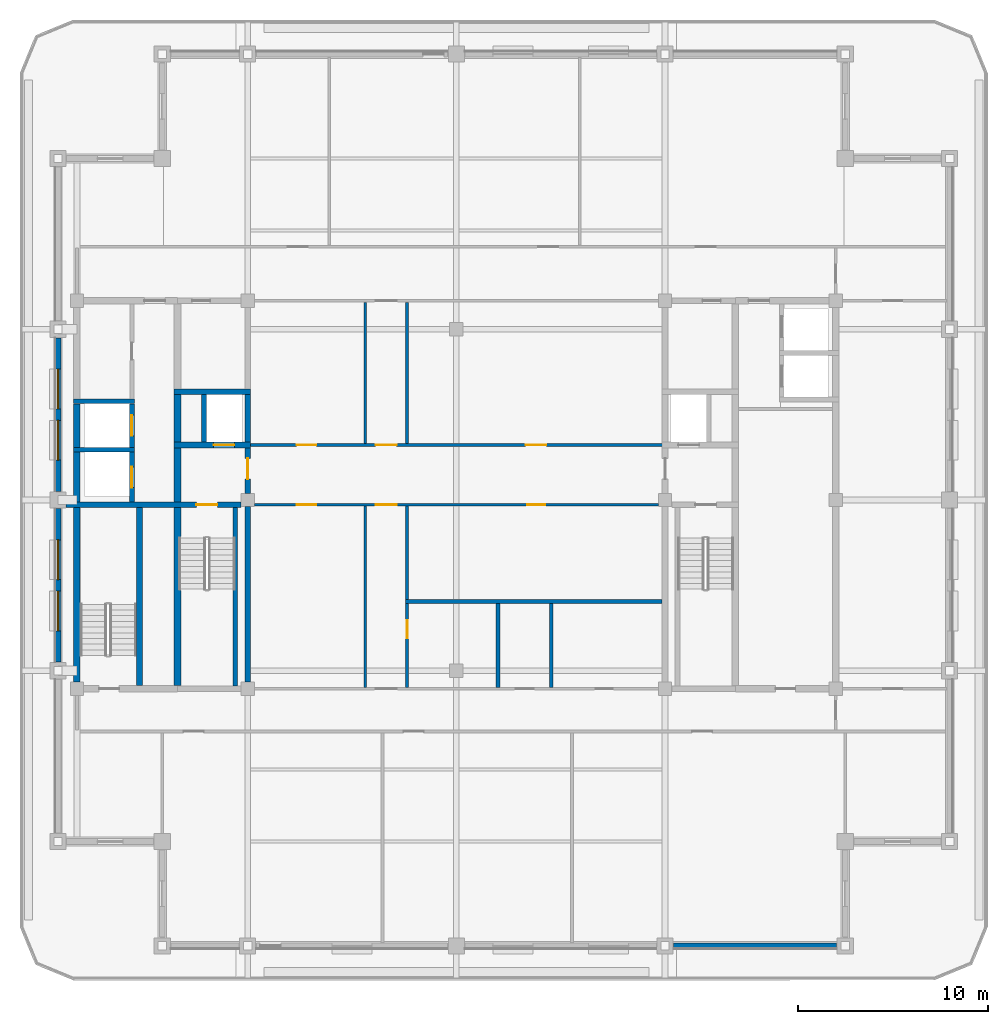
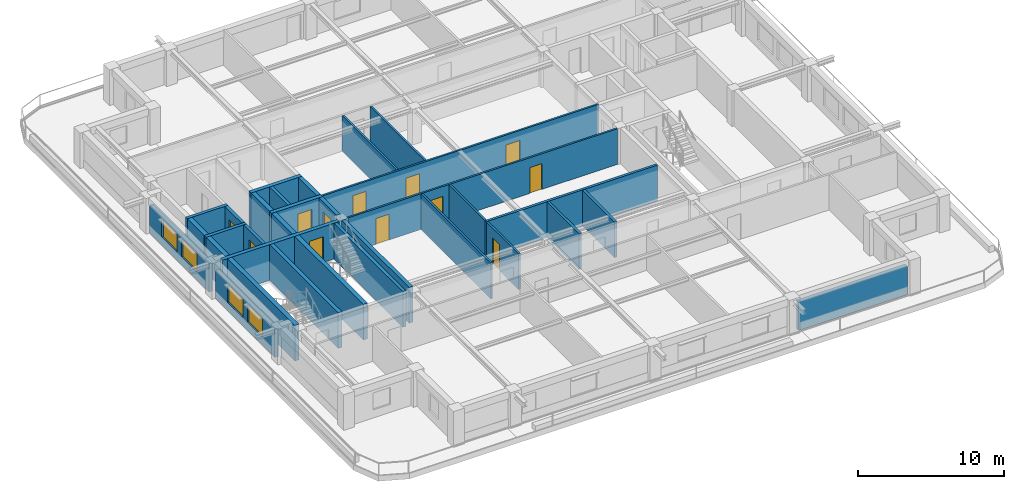
# One storey, part 3 of 11: 32 walls, 12 doors, 4 windows, 16 openings.
"""IFC4 building model written with IfcOpenShell, lengths in metres."""

from ifc_helpers import new_model, si_unit, direction, frame, frame_2d, origin, place, context, subcontext, project, spatial, rectangle, extrude, material, layer, layer_set, type_object, element, fill, save


model = new_model("IFC4")

# Units and contexts
model_context = context("Model", 3, precision=1e-05, world=origin(), true_north=direction((0.0, 1.0)))
body_context = subcontext(model_context, "Body", "Model", "MODEL_VIEW")
ifc_project = project(units=[si_unit("LENGTHUNIT", "METRE"), si_unit("AREAUNIT", "SQUARE_METRE"), si_unit("VOLUMEUNIT", "CUBIC_METRE"), si_unit("PLANEANGLEUNIT", "RADIAN"), si_unit("MASSUNIT", "GRAM", prefix="KILO")], contexts=[model_context])

# Site, building, storey
site_placement = place(None, origin())
site = spatial("IfcSite", under=ifc_project, at=site_placement, CompositionType="ELEMENT")
building_placement = place(site_placement, origin())
building = spatial("IfcBuilding", under=site, at=building_placement, Name="Zulmaris Gate Convention Tower", CompositionType="ELEMENT")
storey_placement = place(building_placement, frame((0.0, 0.0, 236.510009765625)))
storey = spatial("IfcBuildingStorey", under=building, at=storey_placement, Name="L62", CompositionType="ELEMENT", Elevation=236.510009765625)

# Walls
ifc_material_1 = material(Name="Concrete C50/60", Category="concrete")
ifc_layer_1 = layer(ifc_material_1, 0.25, Name="Concrete C50/60")
ifc_layer_set_1 = layer_set([ifc_layer_1], Name="Concrete C50/60")
wall_type_1 = type_object("IfcWallType", Name="CORE-250", PredefinedType="SOLIDWALL", material=ifc_layer_set_1)
for number, where, z_axis, x_axis, name in (
    (1, (-20.175048828125, 2.64990234375, 0.0), (0.0, 0.0, 1.0), (1.0, 0.0, 0.0), "WL-L62-007"),
    (2, (-20.175048828125, 5.199951171875, 0.0), (0.0, 0.0, 1.0), (1.0, 0.0, 0.0), "WL-L62-010"),
):
    element("IfcWall", number, at=place(storey_placement, frame(where, z_axis=z_axis, x_axis=x_axis)), inside=storey, type_object=wall_type_1, Name=name, PredefinedType="SOLIDWALL", context=body_context, shape_type="SweptSolid", body=[
        extrude(rectangle(XDim=3.199951171875, YDim=0.25, at=frame_2d((1.60009765625, 0.0))), origin(), (0.0, 0.0, 1.0), 2.97998046875),
    ])

# Wall, opening, door
wall_1_placement = place(storey_placement, frame((-17.10009765625, -0.097900390625, 0.0), z_axis=(0.0, 0.0, 1.0), x_axis=(0.0, 1.0, 0.0)))
wall_1 = element("IfcWall", 3, at=wall_1_placement, inside=storey, type_object=wall_type_1, Name="WL-L62-033", PredefinedType="SOLIDWALL", context=body_context, shape_type="SweptSolid", body=[
    extrude(rectangle(XDim=2.620849609375, YDim=0.25, at=frame_2d((1.310546875, 0.0))), origin(), (0.0, 0.0, 1.0), 2.97998046875),
])
opening_1_placement = place(wall_1_placement, frame((0.748046875, 0.0, 0.0)))
opening_1 = element("IfcOpeningElement", 4, at=opening_1_placement, cuts=wall_1, Name="Opening D-06", PredefinedType="OPENING", context=body_context, shape_type="SweptSolid", body=[
    extrude(rectangle(XDim=1.10009765625, YDim=2.199951171875, at=frame_2d((0.550048828125, 1.10009765625))), frame((0.0, 0.135009765625, 0.0), z_axis=(0.0, -1.0, 0.0), x_axis=(1.0, 0.0, 0.0)), (0.0, 0.0, 1.0), 0.27001953125),
])
ifc_material_2 = material(Name="Brushed Stainless Steel", Category="steel")
door_type_1 = type_object("IfcDoorType", Name="LD-1100", OperationType="NOTDEFINED", PredefinedType="DOOR", material=ifc_material_2)
door_1_placement = place(opening_1_placement, origin())
door_1 = element("IfcDoor", 5, at=door_1_placement, inside=storey, type_object=door_type_1, Name="L62 Lift Landing Door HP-03 10", OperationType="SLIDING_TO_LEFT", OverallHeight=2.199951171875, OverallWidth=1.10009765625, PredefinedType="DOOR", context=body_context, shape_type="SweptSolid", body=[
    extrude(rectangle(XDim=1.10009765625, YDim=2.199951171875, at=frame_2d((0.550048828125, 1.10009765625))), frame((0.0, 0.02490234375, 0.0), z_axis=(0.0, -1.0, 0.0), x_axis=(1.0, 0.0, 0.0)), (0.0, 0.0, 1.0), 0.050048828125),
])
fill(opening_1, door_1)

wall_2_placement = place(storey_placement, frame((-17.10009765625, 2.777099609375, 0.0), z_axis=(0.0, 0.0, 1.0), x_axis=(0.0, 1.0, 0.0)))
wall_2 = element("IfcWall", 6, at=wall_2_placement, inside=storey, type_object=wall_type_1, Name="WL-L62-034", PredefinedType="SOLIDWALL", context=body_context, shape_type="SweptSolid", body=[
    extrude(rectangle(XDim=2.2958984375, YDim=0.25, at=frame_2d((1.14794921875, 0.0))), origin(), (0.0, 0.0, 1.0), 2.97998046875),
])
opening_2_placement = place(wall_2_placement, frame((0.597900390625, 0.0, 0.0)))
opening_2 = element("IfcOpeningElement", 7, at=opening_2_placement, cuts=wall_2, Name="Opening D-06", PredefinedType="OPENING", context=body_context, shape_type="SweptSolid", body=[
    extrude(rectangle(XDim=1.10009765625, YDim=2.199951171875, at=frame_2d((0.550048828125, 1.10009765625))), frame((0.0, 0.135009765625, 0.0), z_axis=(0.0, -1.0, 0.0), x_axis=(1.0, 0.0, 0.0)), (0.0, 0.0, 1.0), 0.27001953125),
])
door_2_placement = place(opening_2_placement, origin())
door_2 = element("IfcDoor", 8, at=door_2_placement, inside=storey, type_object=door_type_1, Name="L62 Lift Landing Door HP-04 11", OperationType="SLIDING_TO_LEFT", OverallHeight=2.199951171875, OverallWidth=1.10009765625, PredefinedType="DOOR", context=body_context, shape_type="SweptSolid", body=[
    extrude(rectangle(XDim=1.10009765625, YDim=2.199951171875, at=frame_2d((0.550048828125, 1.10009765625))), frame((0.0, 0.02490234375, 0.0), z_axis=(0.0, -1.0, 0.0), x_axis=(1.0, 0.0, 0.0)), (0.0, 0.0, 1.0), 0.050048828125),
])
fill(opening_2, door_2)

# Walls
wall_3_placement = place(storey_placement, frame((-13.300048828125, 3.052001953125, 0.0), z_axis=(0.0, 0.0, 1.0), x_axis=(0.0, 1.0, 0.0)))
element("IfcWall", 9, at=wall_3_placement, inside=storey, type_object=wall_type_1, Name="WL-L62-040", PredefinedType="SOLIDWALL", context=body_context, shape_type="SweptSolid", body=[
    extrude(rectangle(XDim=2.49609375, YDim=0.25, at=frame_2d((1.248046875, 0.0))), origin(), (0.0, 0.0, 1.0), 2.97998046875),
])
wall_4_placement = place(storey_placement, frame((-11.64990234375, -9.798095703125, 0.0), z_axis=(0.0, 0.0, 1.0), x_axis=(0.0, 1.0, 0.0)))
element("IfcWall", 10, at=wall_4_placement, inside=storey, type_object=wall_type_1, Name="WL-L62-041", PredefinedType="SOLIDWALL", context=body_context, shape_type="SweptSolid", body=[
    extrude(rectangle(XDim=9.39599609375, YDim=0.25, at=frame_2d((4.697998046875, 0.0))), origin(), (0.0, 0.0, 1.0), 2.97998046875),
])

# Wall, opening, door
ifc_layer_2 = layer(ifc_material_1, 0.300048828125, Name="Concrete C50/60")
ifc_layer_set_2 = layer_set([ifc_layer_2], Name="Concrete C50/60")
wall_type_2 = type_object("IfcWallType", Name="CORE-300", PredefinedType="SHEAR", material=ifc_layer_set_2)
wall_5_placement = place(storey_placement, frame((-20.571044921875, -0.25, 0.0), z_axis=(0.0, 0.0, 1.0), x_axis=(1.0, 0.0, 0.0)))
wall_5 = element("IfcWall", 11, at=wall_5_placement, inside=storey, type_object=wall_type_2, Name="WL-L62-005", PredefinedType="SHEAR", context=body_context, shape_type="SweptSolid", body=[
    extrude(rectangle(XDim=9.217041015625, YDim=0.300048828125, at=frame_2d((4.6083984375, 0.0))), origin(), (0.0, 0.0, 1.0), 2.97998046875),
])
opening_3_placement = place(wall_5_placement, frame((6.87109375, 0.0, 0.0)))
opening_3 = element("IfcOpeningElement", 12, at=opening_3_placement, cuts=wall_5, Name="Opening D-08", PredefinedType="OPENING", context=body_context, shape_type="SweptSolid", body=[
    extrude(rectangle(XDim=1.10009765625, YDim=2.14990234375, at=frame_2d((0.550048828125, 1.074951171875))), frame((0.0, 0.16015625, 0.0), z_axis=(0.0, -1.0, 0.0), x_axis=(1.0, 0.0, 0.0)), (0.0, 0.0, 1.0), 0.320068359375),
])
ifc_material_3 = material(Name="Fire-Rated Steel", Category="steel")
door_type_2 = type_object("IfcDoorType", Name="DR-1100-FD", OperationType="NOTDEFINED", PredefinedType="DOOR", material=ifc_material_3)
door_3_placement = place(opening_3_placement, origin())
door_3 = element("IfcDoor", 13, at=door_3_placement, inside=storey, type_object=door_type_2, Name="L62 Exit Stair ST-1 Door 01", OperationType="SINGLE_SWING_RIGHT", OverallHeight=2.14990234375, OverallWidth=1.10009765625, PredefinedType="DOOR", context=body_context, shape_type="SweptSolid", body=[
    extrude(rectangle(XDim=1.10009765625, YDim=2.14990234375, at=frame_2d((0.550048828125, 1.074951171875))), frame((0.0, 0.02490234375, 0.0), z_axis=(0.0, -1.0, 0.0), x_axis=(1.0, 0.0, 0.0)), (0.0, 0.0, 1.0), 0.050048828125),
])
fill(opening_3, door_3)

wall_6_placement = place(storey_placement, frame((-14.875, 2.89990234375, 0.0), z_axis=(0.0, 0.0, 1.0), x_axis=(1.0, 0.0, 0.0)))
wall_6 = element("IfcWall", 14, at=wall_6_placement, inside=storey, type_object=wall_type_2, Name="WL-L62-008", PredefinedType="SHEAR", context=body_context, shape_type="SweptSolid", body=[
    extrude(rectangle(XDim=4.02490234375, YDim=0.300048828125, at=frame_2d((2.012451171875, 0.0))), origin(), (0.0, 0.0, 1.0), 2.97998046875),
])
opening_4_placement = place(wall_6_placement, frame((2.074951171875, 0.0, 0.0)))
opening_4 = element("IfcOpeningElement", 15, at=opening_4_placement, cuts=wall_6, Name="Opening D-06", PredefinedType="OPENING", context=body_context, shape_type="SweptSolid", body=[
    extrude(rectangle(XDim=1.10009765625, YDim=2.199951171875, at=frame_2d((0.550048828125, 1.10009765625))), frame((0.0, 0.16015625, 0.0), z_axis=(0.0, -1.0, 0.0), x_axis=(1.0, 0.0, 0.0)), (0.0, 0.0, 1.0), 0.320068359375),
])
door_4_placement = place(opening_4_placement, origin())
door_4 = element("IfcDoor", 16, at=door_4_placement, inside=storey, type_object=door_type_1, Name="L62 Lift Landing Door LF-01 03", OperationType="SLIDING_TO_LEFT", OverallHeight=2.199951171875, OverallWidth=1.10009765625, PredefinedType="DOOR", context=body_context, shape_type="SweptSolid", body=[
    extrude(rectangle(XDim=1.10009765625, YDim=2.199951171875, at=frame_2d((0.550048828125, 1.10009765625))), frame((0.0, 0.02490234375, 0.0), z_axis=(0.0, -1.0, 0.0), x_axis=(1.0, 0.0, 0.0)), (0.0, 0.0, 1.0), 0.050048828125),
])
fill(opening_4, door_4)

# Walls
wall_7_placement = place(storey_placement, frame((-14.875, 5.699951171875, 0.0), z_axis=(0.0, 0.0, 1.0), x_axis=(1.0, 0.0, 0.0)))
element("IfcWall", 17, at=wall_7_placement, inside=storey, type_object=wall_type_2, Name="WL-L62-012", PredefinedType="SHEAR", context=body_context, shape_type="SweptSolid", body=[
    extrude(rectangle(XDim=4.02490234375, YDim=0.300048828125, at=frame_2d((2.012451171875, 0.0))), origin(), (0.0, 0.0, 1.0), 2.97998046875),
])
wall_8_placement = place(storey_placement, frame((-16.699951171875, -9.77294921875, 0.0), z_axis=(0.0, 0.0, 1.0), x_axis=(0.0, 1.0, 0.0)))
element("IfcWall", 18, at=wall_8_placement, inside=storey, type_object=wall_type_2, Name="WL-L62-035", PredefinedType="SHEAR", context=body_context, shape_type="SweptSolid", body=[
    extrude(rectangle(XDim=9.370849609375, YDim=0.300048828125, at=frame_2d((4.685546875, 0.0))), origin(), (0.0, 0.0, 1.0), 2.97998046875),
])
wall_9_placement = place(storey_placement, frame((-11.0, -9.595947265625, 0.0), z_axis=(0.0, 0.0, 1.0), x_axis=(0.0, 1.0, 0.0)))
element("IfcWall", 19, at=wall_9_placement, inside=storey, type_object=wall_type_2, Name="WL-L62-042", PredefinedType="SHEAR", context=body_context, shape_type="SweptSolid", body=[
    extrude(rectangle(XDim=9.241943359375, YDim=0.300048828125, at=frame_2d((4.62109375, 0.0))), origin(), (0.0, 0.0, 1.0), 2.97998046875),
])

# Wall, opening, door
wall_10_placement = place(storey_placement, frame((-11.0, 0.35400390625, 0.0), z_axis=(0.0, 0.0, 1.0), x_axis=(0.0, 1.0, 0.0)))
wall_10 = element("IfcWall", 20, at=wall_10_placement, inside=storey, type_object=wall_type_2, Name="WL-L62-043", PredefinedType="SHEAR", context=body_context, shape_type="SweptSolid", body=[
    extrude(rectangle(XDim=2.39404296875, YDim=0.300048828125, at=frame_2d((1.197021484375, 0.0))), origin(), (0.0, 0.0, 1.0), 2.97998046875),
])
opening_5_placement = place(wall_10_placement, frame((0.74609375, 0.0, 0.0)))
opening_5 = element("IfcOpeningElement", 21, at=opening_5_placement, cuts=wall_10, Name="Opening D-08", PredefinedType="OPENING", context=body_context, shape_type="SweptSolid", body=[
    extrude(rectangle(XDim=1.10009765625, YDim=2.14990234375, at=frame_2d((0.550048828125, 1.074951171875))), frame((0.0, 0.16015625, 0.0), z_axis=(0.0, -1.0, 0.0), x_axis=(1.0, 0.0, 0.0)), (0.0, 0.0, 1.0), 0.320068359375),
])
door_5_placement = place(opening_5_placement, origin())
door_5 = element("IfcDoor", 22, at=door_5_placement, inside=storey, type_object=door_type_2, Name="L62 West Firefighting Lobby Door 02", OperationType="SINGLE_SWING_LEFT", OverallHeight=2.14990234375, OverallWidth=1.10009765625, PredefinedType="DOOR", context=body_context, shape_type="SweptSolid", body=[
    extrude(rectangle(XDim=1.10009765625, YDim=2.14990234375, at=frame_2d((0.550048828125, 1.074951171875))), frame((0.0, 0.02490234375, 0.0), z_axis=(0.0, -1.0, 0.0), x_axis=(1.0, 0.0, 0.0)), (0.0, 0.0, 1.0), 0.050048828125),
])
fill(opening_5, door_5)

# Walls
wall_11_placement = place(storey_placement, frame((-11.0, 3.052001953125, 0.0), z_axis=(0.0, 0.0, 1.0), x_axis=(0.0, 1.0, 0.0)))
element("IfcWall", 23, at=wall_11_placement, inside=storey, type_object=wall_type_2, Name="WL-L62-044", PredefinedType="SHEAR", context=body_context, shape_type="SweptSolid", body=[
    extrude(rectangle(XDim=2.49609375, YDim=0.300048828125, at=frame_2d((1.248046875, 0.0))), origin(), (0.0, 0.0, 1.0), 2.97998046875),
])
ifc_material_4 = material(Name="Concrete C55/67", Category="concrete")
ifc_layer_3 = layer(ifc_material_4, 0.35009765625, Name="Concrete C55/67")
ifc_layer_set_3 = layer_set([ifc_layer_3], Name="Concrete C55/67")
wall_type_3 = type_object("IfcWallType", Name="CORE-350", PredefinedType="SHEAR", material=ifc_layer_set_3)
wall_12_placement = place(storey_placement, frame((-20.0, -9.595947265625, 0.0), z_axis=(0.0, 0.0, 1.0), x_axis=(0.0, 1.0, 0.0)))
element("IfcWall", 24, at=wall_12_placement, inside=storey, type_object=wall_type_3, Name="WL-L62-029", PredefinedType="SHEAR", context=body_context, shape_type="SweptSolid", body=[
    extrude(rectangle(XDim=9.19384765625, YDim=0.35009765625, at=frame_2d((4.596923828125, 0.0))), origin(), (0.0, 0.0, 1.0), 2.97998046875),
])
wall_13_placement = place(storey_placement, frame((-20.0, -0.097900390625, 0.0), z_axis=(0.0, 0.0, 1.0), x_axis=(0.0, 1.0, 0.0)))
element("IfcWall", 25, at=wall_13_placement, inside=storey, type_object=wall_type_3, Name="WL-L62-030", PredefinedType="SHEAR", context=body_context, shape_type="SweptSolid", body=[
    extrude(rectangle(XDim=2.620849609375, YDim=0.35009765625, at=frame_2d((1.310546875, 0.0))), origin(), (0.0, 0.0, 1.0), 2.97998046875),
])
wall_14_placement = place(storey_placement, frame((-20.0, 2.777099609375, 0.0), z_axis=(0.0, 0.0, 1.0), x_axis=(0.0, 1.0, 0.0)))
element("IfcWall", 26, at=wall_14_placement, inside=storey, type_object=wall_type_3, Name="WL-L62-031", PredefinedType="SHEAR", context=body_context, shape_type="SweptSolid", body=[
    extrude(rectangle(XDim=2.2958984375, YDim=0.35009765625, at=frame_2d((1.14794921875, 0.0))), origin(), (0.0, 0.0, 1.0), 2.97998046875),
])
wall_15_placement = place(storey_placement, frame((-14.699951171875, -9.77294921875, 0.0), z_axis=(0.0, 0.0, 1.0), x_axis=(0.0, 1.0, 0.0)))
element("IfcWall", 27, at=wall_15_placement, inside=storey, type_object=wall_type_3, Name="WL-L62-036", PredefinedType="SHEAR", context=body_context, shape_type="SweptSolid", body=[
    extrude(rectangle(XDim=9.370849609375, YDim=0.35009765625, at=frame_2d((4.685546875, 0.0))), origin(), (0.0, 0.0, 1.0), 2.97998046875),
])
wall_16_placement = place(storey_placement, frame((-14.699951171875, -0.097900390625, 0.0), z_axis=(0.0, 0.0, 1.0), x_axis=(0.0, 1.0, 0.0)))
element("IfcWall", 28, at=wall_16_placement, inside=storey, type_object=wall_type_3, Name="WL-L62-037", PredefinedType="SHEAR", context=body_context, shape_type="SweptSolid", body=[
    extrude(rectangle(XDim=2.845947265625, YDim=0.35009765625, at=frame_2d((1.4228515625, 0.0))), origin(), (0.0, 0.0, 1.0), 2.97998046875),
])
wall_17_placement = place(storey_placement, frame((-14.699951171875, 3.052001953125, 0.0), z_axis=(0.0, 0.0, 1.0), x_axis=(0.0, 1.0, 0.0)))
element("IfcWall", 29, at=wall_17_placement, inside=storey, type_object=wall_type_3, Name="WL-L62-038", PredefinedType="SHEAR", context=body_context, shape_type="SweptSolid", body=[
    extrude(rectangle(XDim=2.49609375, YDim=0.35009765625, at=frame_2d((1.248046875, 0.0))), origin(), (0.0, 0.0, 1.0), 2.97998046875),
])

# Wall, openings, doors
ifc_material_5 = material(Name="Gypsum Metal Stud Partition")
ifc_layer_4 = layer(ifc_material_5, 0.14990234375, Name="Gypsum Metal Stud Partition")
ifc_layer_set_4 = layer_set([ifc_layer_4], Name="Gypsum Metal Stud Partition")
wall_type_4 = type_object("IfcWallType", Name="PART-150", PredefinedType="PARTITIONING", material=ifc_layer_set_4)
wall_18_placement = place(storey_placement, frame((-10.64404296875, -0.25, 0.0), z_axis=(0.0, 0.0, 1.0), x_axis=(1.0, 0.0, 0.0)))
wall_18 = element("IfcWall", 30, at=wall_18_placement, inside=storey, type_object=wall_type_4, Name="WL-L62-023", PredefinedType="PARTITIONING", context=body_context, shape_type="SweptSolid", body=[
    extrude(rectangle(XDim=21.2880859375, YDim=0.14990234375, at=frame_2d((10.64404296875, 0.0))), origin(), (0.0, 0.0, 1.0), 2.97998046875),
])
opening_6_placement = place(wall_18_placement, frame((6.39404296875, 0.0, 0.0)))
opening_6 = element("IfcOpeningElement", 31, at=opening_6_placement, cuts=wall_18, Name="Opening D-08", PredefinedType="OPENING", context=body_context, shape_type="SweptSolid", body=[
    extrude(rectangle(XDim=1.10009765625, YDim=2.14990234375, at=frame_2d((0.550048828125, 1.074951171875))), frame((0.0, 0.0849609375, 0.0), z_axis=(0.0, -1.0, 0.0), x_axis=(1.0, 0.0, 0.0)), (0.0, 0.0, 1.0), 0.169921875),
])
opening_7_placement = place(wall_18_placement, frame((2.218994140625, 0.0, 0.0)))
opening_7 = element("IfcOpeningElement", 32, at=opening_7_placement, cuts=wall_18, Name="Opening D-09", PredefinedType="OPENING", context=body_context, shape_type="SweptSolid", body=[
    extrude(rectangle(XDim=1.050048828125, YDim=2.14990234375, at=frame_2d((0.52490234375, 1.074951171875))), frame((0.0, 0.0849609375, 0.0), z_axis=(0.0, -1.0, 0.0), x_axis=(1.0, 0.0, 0.0)), (0.0, 0.0, 1.0), 0.169921875),
])
opening_8_placement = place(wall_18_placement, frame((14.368896484375, 0.0, 0.0)))
opening_8 = element("IfcOpeningElement", 33, at=opening_8_placement, cuts=wall_18, Name="Opening D-11", PredefinedType="OPENING", context=body_context, shape_type="SweptSolid", body=[
    extrude(rectangle(XDim=0.949951171875, YDim=2.14990234375, at=frame_2d((0.47509765625, 1.074951171875))), frame((0.0, 0.0849609375, 0.0), z_axis=(0.0, -1.0, 0.0), x_axis=(1.0, 0.0, 0.0)), (0.0, 0.0, 1.0), 0.169921875),
])
door_type_3 = type_object("IfcDoorType", Name="DR-1050-FD", OperationType="NOTDEFINED", PredefinedType="DOOR", material=ifc_material_3)
door_6_placement = place(opening_7_placement, origin())
door_6 = element("IfcDoor", 34, at=door_6_placement, inside=storey, type_object=door_type_3, Name="L62 Sky Library Door 30", OperationType="SINGLE_SWING_LEFT", OverallHeight=2.14990234375, OverallWidth=1.050048828125, PredefinedType="DOOR", context=body_context, shape_type="SweptSolid", body=[
    extrude(rectangle(XDim=1.050048828125, YDim=2.14990234375, at=frame_2d((0.52490234375, 1.074951171875))), frame((0.0, 0.02490234375, 0.0), z_axis=(0.0, -1.0, 0.0), x_axis=(1.0, 0.0, 0.0)), (0.0, 0.0, 1.0), 0.050048828125),
])
fill(opening_7, door_6)
door_7_placement = place(opening_6_placement, origin())
door_7 = element("IfcDoor", 35, at=door_7_placement, inside=storey, type_object=door_type_2, Name="L62 Exec Cross South Door 21", OperationType="SINGLE_SWING_RIGHT", OverallHeight=2.14990234375, OverallWidth=1.10009765625, PredefinedType="DOOR", context=body_context, shape_type="SweptSolid", body=[
    extrude(rectangle(XDim=1.10009765625, YDim=2.14990234375, at=frame_2d((0.550048828125, 1.074951171875))), frame((0.0, 0.02490234375, 0.0), z_axis=(0.0, -1.0, 0.0), x_axis=(1.0, 0.0, 0.0)), (0.0, 0.0, 1.0), 0.050048828125),
])
fill(opening_6, door_7)
ifc_material_6 = material(Name="Fire-Rated Timber", Category="wood")
door_type_4 = type_object("IfcDoorType", Name="DR-950-FD", OperationType="NOTDEFINED", PredefinedType="DOOR", material=ifc_material_6)
door_8_placement = place(opening_8_placement, origin())
door_8 = element("IfcDoor", 36, at=door_8_placement, inside=storey, type_object=door_type_4, Name="L62 Public WC Door 31", OperationType="SINGLE_SWING_RIGHT", OverallHeight=2.14990234375, OverallWidth=0.949951171875, PredefinedType="DOOR", context=body_context, shape_type="SweptSolid", body=[
    extrude(rectangle(XDim=0.949951171875, YDim=2.14990234375, at=frame_2d((0.47509765625, 1.074951171875))), frame((0.0, 0.02490234375, 0.0), z_axis=(0.0, -1.0, 0.0), x_axis=(1.0, 0.0, 0.0)), (0.0, 0.0, 1.0), 0.050048828125),
])
fill(opening_8, door_8)

wall_19_placement = place(storey_placement, frame((-11.0, 2.89990234375, 0.0), z_axis=(0.0, 0.0, 1.0), x_axis=(1.0, 0.0, 0.0)))
wall_19 = element("IfcWall", 37, at=wall_19_placement, inside=storey, type_object=wall_type_4, Name="WL-L62-024", PredefinedType="PARTITIONING", context=body_context, shape_type="SweptSolid", body=[
    extrude(rectangle(XDim=22.0, YDim=0.14990234375, at=frame_2d((11.0, 0.0))), origin(), (0.0, 0.0, 1.0), 2.97998046875),
])
opening_9_placement = place(wall_19_placement, frame((6.75, 0.0, 0.0)))
opening_9 = element("IfcOpeningElement", 38, at=opening_9_placement, cuts=wall_19, Name="Opening D-08", PredefinedType="OPENING", context=body_context, shape_type="SweptSolid", body=[
    extrude(rectangle(XDim=1.10009765625, YDim=2.14990234375, at=frame_2d((0.550048828125, 1.074951171875))), frame((0.0, 0.0849609375, 0.0), z_axis=(0.0, -1.0, 0.0), x_axis=(1.0, 0.0, 0.0)), (0.0, 0.0, 1.0), 0.169921875),
])
opening_10_placement = place(wall_19_placement, frame((2.574951171875, 0.0, 0.0)))
opening_10 = element("IfcOpeningElement", 39, at=opening_10_placement, cuts=wall_19, Name="Opening D-09", PredefinedType="OPENING", context=body_context, shape_type="SweptSolid", body=[
    extrude(rectangle(XDim=1.050048828125, YDim=2.14990234375, at=frame_2d((0.52490234375, 1.074951171875))), frame((0.0, 0.0849609375, 0.0), z_axis=(0.0, -1.0, 0.0), x_axis=(1.0, 0.0, 0.0)), (0.0, 0.0, 1.0), 0.169921875),
])
opening_11_placement = place(wall_19_placement, frame((14.64990234375, 0.0, 0.0)))
opening_11 = element("IfcOpeningElement", 40, at=opening_11_placement, cuts=wall_19, Name="Opening D-08", PredefinedType="OPENING", context=body_context, shape_type="SweptSolid", body=[
    extrude(rectangle(XDim=1.10009765625, YDim=2.14990234375, at=frame_2d((0.550048828125, 1.074951171875))), frame((0.0, 0.0849609375, 0.0), z_axis=(0.0, -1.0, 0.0), x_axis=(1.0, 0.0, 0.0)), (0.0, 0.0, 1.0), 0.169921875),
])
door_9_placement = place(opening_10_placement, origin())
door_9 = element("IfcDoor", 41, at=door_9_placement, inside=storey, type_object=door_type_3, Name="L62 Reception Door 28", OperationType="SINGLE_SWING_LEFT", OverallHeight=2.14990234375, OverallWidth=1.050048828125, PredefinedType="DOOR", context=body_context, shape_type="SweptSolid", body=[
    extrude(rectangle(XDim=1.050048828125, YDim=2.14990234375, at=frame_2d((0.52490234375, 1.074951171875))), frame((0.0, 0.02490234375, 0.0), z_axis=(0.0, -1.0, 0.0), x_axis=(1.0, 0.0, 0.0)), (0.0, 0.0, 1.0), 0.050048828125),
])
fill(opening_10, door_9)
door_10_placement = place(opening_9_placement, origin())
door_10 = element("IfcDoor", 42, at=door_10_placement, inside=storey, type_object=door_type_2, Name="L62 Exec Cross North Door 20", OperationType="SINGLE_SWING_LEFT", OverallHeight=2.14990234375, OverallWidth=1.10009765625, PredefinedType="DOOR", context=body_context, shape_type="SweptSolid", body=[
    extrude(rectangle(XDim=1.10009765625, YDim=2.14990234375, at=frame_2d((0.550048828125, 1.074951171875))), frame((0.0, 0.02490234375, 0.0), z_axis=(0.0, -1.0, 0.0), x_axis=(1.0, 0.0, 0.0)), (0.0, 0.0, 1.0), 0.050048828125),
])
fill(opening_9, door_10)
door_11_placement = place(opening_11_placement, origin())
door_11 = element("IfcDoor", 43, at=door_11_placement, inside=storey, type_object=door_type_2, Name="L62 Townhall Forum Door 29", OperationType="SINGLE_SWING_RIGHT", OverallHeight=2.14990234375, OverallWidth=1.10009765625, PredefinedType="DOOR", context=body_context, shape_type="SweptSolid", body=[
    extrude(rectangle(XDim=1.10009765625, YDim=2.14990234375, at=frame_2d((0.550048828125, 1.074951171875))), frame((0.0, 0.02490234375, 0.0), z_axis=(0.0, -1.0, 0.0), x_axis=(1.0, 0.0, 0.0)), (0.0, 0.0, 1.0), 0.050048828125),
])
fill(opening_11, door_11)

# Walls
wall_20_placement = place(storey_placement, frame((-4.800048828125, -9.8720703125, 0.0), z_axis=(0.0, 0.0, 1.0), x_axis=(0.0, 1.0, 0.0)))
element("IfcWall", 44, at=wall_20_placement, inside=storey, type_object=wall_type_4, Name="WL-L62-066", PredefinedType="PARTITIONING", context=body_context, shape_type="SweptSolid", body=[
    extrude(rectangle(XDim=9.544189453125, YDim=0.14990234375, at=frame_2d((4.77197265625, 0.0))), origin(), (0.0, 0.0, 1.0), 2.97998046875),
])
wall_21_placement = place(storey_placement, frame((-4.800048828125, 2.97802734375, 0.0), z_axis=(0.0, 0.0, 1.0), x_axis=(0.0, 1.0, 0.0)))
element("IfcWall", 45, at=wall_21_placement, inside=storey, type_object=wall_type_4, Name="WL-L62-067", PredefinedType="PARTITIONING", context=body_context, shape_type="SweptSolid", body=[
    extrude(rectangle(XDim=7.444091796875, YDim=0.14990234375, at=frame_2d((3.72216796875, 0.0))), origin(), (0.0, 0.0, 1.0), 2.97998046875),
])

# Wall, opening, door
wall_22_placement = place(storey_placement, frame((-2.60009765625, -9.8720703125, 0.0), z_axis=(0.0, 0.0, 1.0), x_axis=(0.0, 1.0, 0.0)))
wall_22 = element("IfcWall", 46, at=wall_22_placement, inside=storey, type_object=wall_type_4, Name="WL-L62-069", PredefinedType="PARTITIONING", context=body_context, shape_type="SweptSolid", body=[
    extrude(rectangle(XDim=4.419189453125, YDim=0.14990234375, at=frame_2d((2.20947265625, 0.0))), origin(), (0.0, 0.0, 1.0), 2.97998046875),
])
opening_12_placement = place(wall_22_placement, frame((2.596923828125, 0.0, 0.0)))
opening_12 = element("IfcOpeningElement", 47, at=opening_12_placement, cuts=wall_22, Name="Opening D-11", PredefinedType="OPENING", context=body_context, shape_type="SweptSolid", body=[
    extrude(rectangle(XDim=0.949951171875, YDim=2.14990234375, at=frame_2d((0.47509765625, 1.074951171875))), frame((0.0, 0.0849609375, 0.0), z_axis=(0.0, -1.0, 0.0), x_axis=(1.0, 0.0, 0.0)), (0.0, 0.0, 1.0), 0.169921875),
])
door_12_placement = place(opening_12_placement, origin())
door_12 = element("IfcDoor", 48, at=door_12_placement, inside=storey, type_object=door_type_4, Name="L62 Hygiene Supply Door 32", OperationType="SINGLE_SWING_LEFT", OverallHeight=2.14990234375, OverallWidth=0.949951171875, PredefinedType="DOOR", context=body_context, shape_type="SweptSolid", body=[
    extrude(rectangle(XDim=0.949951171875, YDim=2.14990234375, at=frame_2d((0.47509765625, 1.074951171875))), frame((0.0, 0.02490234375, 0.0), z_axis=(0.0, -1.0, 0.0), x_axis=(1.0, 0.0, 0.0)), (0.0, 0.0, 1.0), 0.050048828125),
])
fill(opening_12, door_12)

# Walls
wall_23_placement = place(storey_placement, frame((-2.60009765625, -5.2470703125, 0.0), z_axis=(0.0, 0.0, 1.0), x_axis=(0.0, 1.0, 0.0)))
element("IfcWall", 49, at=wall_23_placement, inside=storey, type_object=wall_type_4, Name="WL-L62-070", PredefinedType="PARTITIONING", context=body_context, shape_type="SweptSolid", body=[
    extrude(rectangle(XDim=4.919189453125, YDim=0.14990234375, at=frame_2d((2.45947265625, 0.0))), origin(), (0.0, 0.0, 1.0), 2.97998046875),
])
wall_24_placement = place(storey_placement, frame((-2.60009765625, 2.97802734375, 0.0), z_axis=(0.0, 0.0, 1.0), x_axis=(0.0, 1.0, 0.0)))
element("IfcWall", 50, at=wall_24_placement, inside=storey, type_object=wall_type_4, Name="WL-L62-071", PredefinedType="PARTITIONING", context=body_context, shape_type="SweptSolid", body=[
    extrude(rectangle(XDim=7.444091796875, YDim=0.14990234375, at=frame_2d((3.72216796875, 0.0))), origin(), (0.0, 0.0, 1.0), 2.97998046875),
])
ifc_material_7 = material(Name="Autoclaved Aerated Concrete Block and Plasterboard", Category="concrete")
ifc_layer_5 = layer(ifc_material_7, 0.199951171875, Name="Autoclaved Aerated Concrete Block and Plasterboard")
ifc_layer_set_5 = layer_set([ifc_layer_5], Name="Autoclaved Aerated Concrete Block and Plasterboard")
wall_type_5 = type_object("IfcWallType", Name="PART-200", PredefinedType="PARTITIONING", material=ifc_layer_set_5)
wall_25_placement = place(storey_placement, frame((-2.675048828125, -5.35009765625, 0.0), z_axis=(0.0, 0.0, 1.0), x_axis=(1.0, 0.0, 0.0)))
element("IfcWall", 51, at=wall_25_placement, inside=storey, type_object=wall_type_5, Name="WL-L62-022", PredefinedType="PARTITIONING", context=body_context, shape_type="SweptSolid", body=[
    extrude(rectangle(XDim=13.52197265625, YDim=0.199951171875, at=frame_2d((6.760986328125, 0.0))), origin(), (0.0, 0.0, 1.0), 2.97998046875),
])
for number, where, z_axis, x_axis, name in (
    (52, (2.199951171875, -9.8720703125, 0.0), (0.0, 0.0, 1.0), (0.0, 1.0, 0.0), "WL-L62-072"),
    (53, (5.0, -9.8720703125, 0.0), (0.0, 0.0, 1.0), (0.0, 1.0, 0.0), "WL-L62-073"),
):
    element("IfcWall", number, at=place(storey_placement, frame(where, z_axis=z_axis, x_axis=x_axis)), inside=storey, type_object=wall_type_5, Name=name, PredefinedType="PARTITIONING", context=body_context, shape_type="SweptSolid", body=[
        extrude(rectangle(XDim=4.419189453125, YDim=0.199951171875, at=frame_2d((2.20947265625, 0.0))), origin(), (0.0, 0.0, 1.0), 2.97998046875),
    ])
ifc_material_8 = material(Name="Precast concrete C40/50", Category="concrete")
ifc_layer_6 = layer(ifc_material_8, 0.300048828125, Name="Precast concrete C40/50")
ifc_layer_set_6 = layer_set([ifc_layer_6], Name="Precast concrete C40/50")
wall_type_6 = type_object("IfcWallType", Name="PRECAST-PIER-300", PredefinedType="STANDARD", material=ifc_layer_set_6)
wall_26_placement = place(storey_placement, frame((11.455078125, -23.5, 0.0), z_axis=(0.0, 0.0, 1.0), x_axis=(1.0, 0.0, 0.0)))
element("IfcWall", 54, at=wall_26_placement, inside=storey, type_object=wall_type_6, Name="EW-L62-S-3_0", PredefinedType="STANDARD", context=body_context, shape_type="SweptSolid", body=[
    extrude(rectangle(XDim=8.58984375, YDim=0.300048828125, at=frame_2d((4.294921875, 0.0))), origin(), (0.0, 0.0, 1.0), 2.3720703125),
])

# Wall, openings, windows
wall_27_placement = place(storey_placement, frame((-21.0, -0.455078125, 0.0), z_axis=(0.0, 0.0, 1.0), x_axis=(0.0, -1.0, 0.0)))
wall_27 = element("IfcWall", 55, at=wall_27_placement, inside=storey, type_object=wall_type_6, Name="EW-L62-W-1_0", PredefinedType="STANDARD", context=body_context, shape_type="SweptSolid", body=[
    extrude(rectangle(XDim=8.08984375, YDim=0.300048828125, at=frame_2d((4.044921875, 0.0))), origin(), (0.0, 0.0, 1.0), 2.3720703125),
])
opening_13_placement = place(wall_27_placement, frame((1.64697265625, 0.0, 0.699951171875)))
opening_13 = element("IfcOpeningElement", 56, at=opening_13_placement, cuts=wall_27, Name="Opening W-05", PredefinedType="OPENING", context=body_context, shape_type="SweptSolid", body=[
    extrude(rectangle(XDim=2.10009765625, YDim=1.5, at=frame_2d((1.050048828125, 0.75))), frame((0.0, 0.16015625, 0.0), z_axis=(0.0, -1.0, 0.0), x_axis=(1.0, 0.0, 0.0)), (0.0, 0.0, 1.0), 0.320068359375),
])
opening_14_placement = place(wall_27_placement, frame((4.343017578125, 0.0, 0.699951171875)))
opening_14 = element("IfcOpeningElement", 57, at=opening_14_placement, cuts=wall_27, Name="Opening W-05", PredefinedType="OPENING", context=body_context, shape_type="SweptSolid", body=[
    extrude(rectangle(XDim=2.10009765625, YDim=1.5, at=frame_2d((1.050048828125, 0.75))), frame((0.0, 0.16015625, 0.0), z_axis=(0.0, -1.0, 0.0), x_axis=(1.0, 0.0, 0.0)), (0.0, 0.0, 1.0), 0.320068359375),
])
ifc_material_9 = material(Name="Low-E Laminated Double Glazing in Aluminium Frame", Category="aluminium")
window_type = type_object("IfcWindowType", Name="WIN-2100x2400", PartitioningType="SINGLE_PANEL", PredefinedType="WINDOW", material=ifc_material_9)
window_1_placement = place(opening_13_placement, origin())
window_1 = element("IfcWindow", 58, at=window_1_placement, inside=storey, type_object=window_type, Name="WN-EW-L62-W-1_0-1", OverallHeight=1.5, OverallWidth=2.10009765625, PartitioningType="SINGLE_PANEL", PredefinedType="WINDOW", context=body_context, shape_type="SweptSolid", body=[
    extrude(rectangle(XDim=2.10009765625, YDim=1.5, at=frame_2d((1.050048828125, 0.75))), frame((0.0, 0.030029296875, 0.0), z_axis=(0.0, -1.0, 0.0), x_axis=(1.0, 0.0, 0.0)), (0.0, 0.0, 1.0), 0.06005859375),
])
fill(opening_13, window_1)
window_2_placement = place(opening_14_placement, origin())
window_2 = element("IfcWindow", 59, at=window_2_placement, inside=storey, type_object=window_type, Name="WN-EW-L62-W-1_0-2", OverallHeight=1.5, OverallWidth=2.10009765625, PartitioningType="SINGLE_PANEL", PredefinedType="WINDOW", context=body_context, shape_type="SweptSolid", body=[
    extrude(rectangle(XDim=2.10009765625, YDim=1.5, at=frame_2d((1.050048828125, 0.75))), frame((0.0, 0.030029296875, 0.0), z_axis=(0.0, -1.0, 0.0), x_axis=(1.0, 0.0, 0.0)), (0.0, 0.0, 1.0), 0.06005859375),
])
fill(opening_14, window_2)

wall_28_placement = place(storey_placement, frame((-21.0, 8.544921875, 0.0), z_axis=(0.0, 0.0, 1.0), x_axis=(0.0, -1.0, 0.0)))
wall_28 = element("IfcWall", 60, at=wall_28_placement, inside=storey, type_object=wall_type_6, Name="EW-L62-W-2_0", PredefinedType="STANDARD", context=body_context, shape_type="SweptSolid", body=[
    extrude(rectangle(XDim=8.08984375, YDim=0.300048828125, at=frame_2d((4.044921875, 0.0))), origin(), (0.0, 0.0, 1.0), 2.3720703125),
])
opening_15_placement = place(wall_28_placement, frame((1.64697265625, 0.0, 0.699951171875)))
opening_15 = element("IfcOpeningElement", 61, at=opening_15_placement, cuts=wall_28, Name="Opening W-05", PredefinedType="OPENING", context=body_context, shape_type="SweptSolid", body=[
    extrude(rectangle(XDim=2.10009765625, YDim=1.5, at=frame_2d((1.050048828125, 0.75))), frame((0.0, 0.16015625, 0.0), z_axis=(0.0, -1.0, 0.0), x_axis=(1.0, 0.0, 0.0)), (0.0, 0.0, 1.0), 0.320068359375),
])
opening_16_placement = place(wall_28_placement, frame((4.343017578125, 0.0, 0.699951171875)))
opening_16 = element("IfcOpeningElement", 62, at=opening_16_placement, cuts=wall_28, Name="Opening W-05", PredefinedType="OPENING", context=body_context, shape_type="SweptSolid", body=[
    extrude(rectangle(XDim=2.10009765625, YDim=1.5, at=frame_2d((1.050048828125, 0.75))), frame((0.0, 0.16015625, 0.0), z_axis=(0.0, -1.0, 0.0), x_axis=(1.0, 0.0, 0.0)), (0.0, 0.0, 1.0), 0.320068359375),
])
window_3_placement = place(opening_15_placement, origin())
window_3 = element("IfcWindow", 63, at=window_3_placement, inside=storey, type_object=window_type, Name="WN-EW-L62-W-2_0-1", OverallHeight=1.5, OverallWidth=2.10009765625, PartitioningType="SINGLE_PANEL", PredefinedType="WINDOW", context=body_context, shape_type="SweptSolid", body=[
    extrude(rectangle(XDim=2.10009765625, YDim=1.5, at=frame_2d((1.050048828125, 0.75))), frame((0.0, 0.030029296875, 0.0), z_axis=(0.0, -1.0, 0.0), x_axis=(1.0, 0.0, 0.0)), (0.0, 0.0, 1.0), 0.06005859375),
])
fill(opening_15, window_3)
window_4_placement = place(opening_16_placement, origin())
window_4 = element("IfcWindow", 64, at=window_4_placement, inside=storey, type_object=window_type, Name="WN-EW-L62-W-2_0-2", OverallHeight=1.5, OverallWidth=2.10009765625, PartitioningType="SINGLE_PANEL", PredefinedType="WINDOW", context=body_context, shape_type="SweptSolid", body=[
    extrude(rectangle(XDim=2.10009765625, YDim=1.5, at=frame_2d((1.050048828125, 0.75))), frame((0.0, 0.030029296875, 0.0), z_axis=(0.0, -1.0, 0.0), x_axis=(1.0, 0.0, 0.0)), (0.0, 0.0, 1.0), 0.06005859375),
])
fill(opening_16, window_4)

save(model, "model.ifc")
